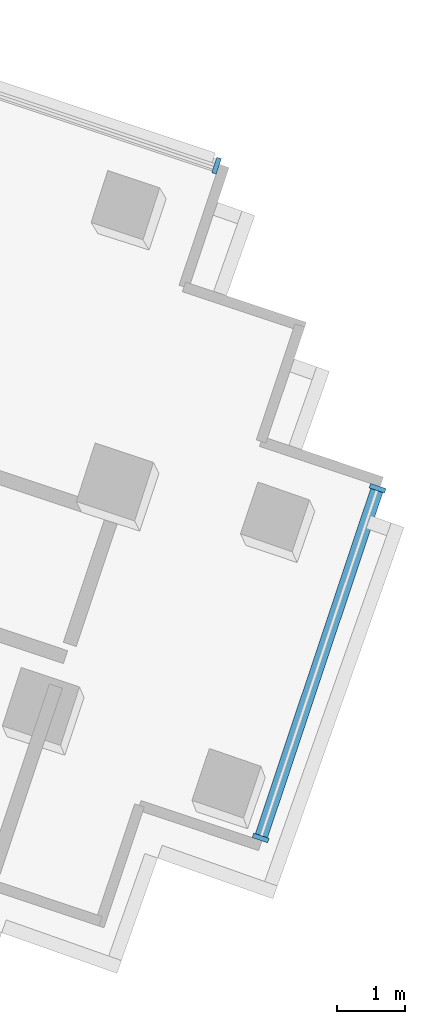
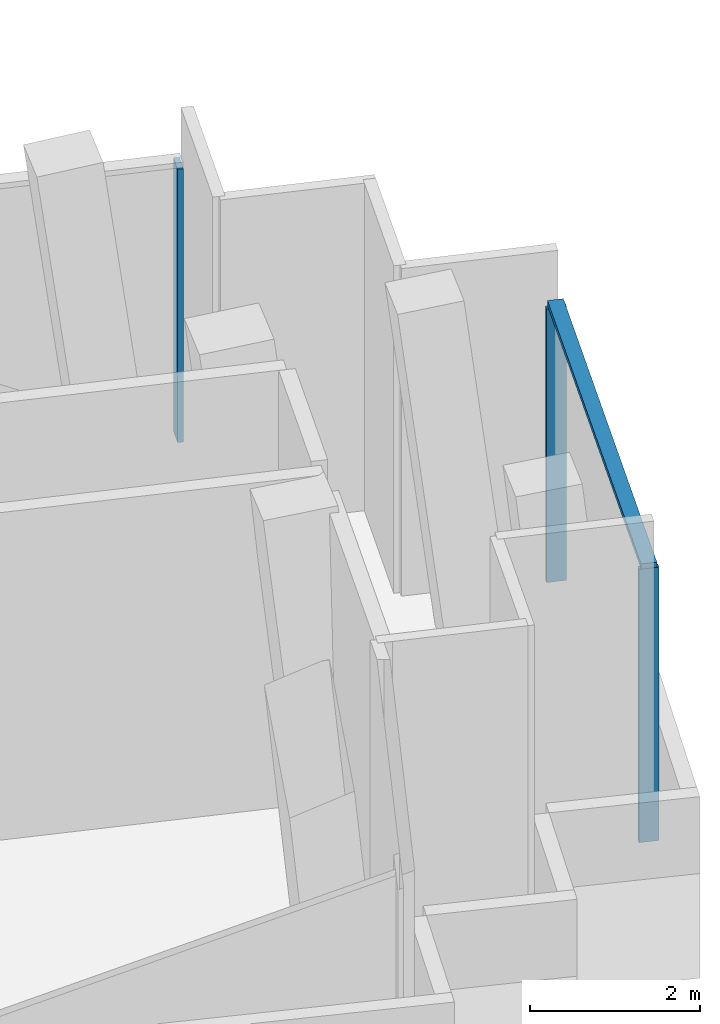
# One storey, part 6 of 20: 4 members, 2 elements without a shape of their own.
"""IFC4 building model written with IfcOpenShell, lengths in metres."""

from ifc_helpers import new_model, si_unit, direction, frame, origin, origin_2d, place, context, subcontext, project, spatial, rectangle, extrude, material, layer, layer_set, material_profile, profile_set, type_object, element, aggregate, save


model = new_model("IFC4")

# Units and contexts
model_context = context("Model", 3, precision=1e-05, world=origin(), true_north=direction((0.0, 1.0)))
body_context = subcontext(model_context, "Body", "Model", "MODEL_VIEW")
ifc_project = project(units=[si_unit("LENGTHUNIT", "METRE"), si_unit("AREAUNIT", "SQUARE_METRE"), si_unit("VOLUMEUNIT", "CUBIC_METRE"), si_unit("PLANEANGLEUNIT", "RADIAN"), si_unit("MASSUNIT", "GRAM", prefix="KILO")], contexts=[model_context])

# Site, building, storey
site_placement = place(None, origin())
site = spatial("IfcSite", under=ifc_project, at=site_placement, CompositionType="ELEMENT")
building_placement = place(site_placement, origin())
building = spatial("IfcBuilding", under=site, at=building_placement, Name="Verdalira Terraces Hotel", CompositionType="ELEMENT")
storey_placement = place(building_placement, frame((0.0, 0.0, 81.0)))
storey = spatial("IfcBuildingStorey", under=building, at=storey_placement, Name="L18", CompositionType="ELEMENT", Elevation=81.0)

# Curtain wall, members
ifc_material_1 = material(Name="Clear glass", Category="glass")
ifc_layer = layer(ifc_material_1, 0.239990234375)
ifc_layer_set = layer_set([ifc_layer], Name="CW5 curtain wall")
curtain_wall_type = type_object("IfcCurtainWallType", Name="CW5 curtain wall", PredefinedType="NOTDEFINED", material=ifc_layer_set)
curtain_wall_1_placement = place(storey_placement, origin())
curtain_wall_1 = element("IfcCurtainWall", 1, at=curtain_wall_1_placement, inside=storey, type_object=curtain_wall_type, Name="CW5 curtain wall L18 edge 33", PredefinedType="NOTDEFINED")
ifc_material_2 = material(Name="Terracotta frame", Category="masonry")
ifc_material_profile_1 = material_profile(ifc_material_2, rectangle(XDim=0.070068, YDim=0.23999, at=origin_2d()), Name="MU 70x240")
ifc_profile_set_1 = profile_set([ifc_material_profile_1], Name="Terracotta frame")
member_type_1 = type_object("IfcMemberType", Name="CW5 mullion 70x240", PredefinedType="MULLION", material=ifc_profile_set_1)
member_1_placement = place(storey_placement, frame((33.017578, -13.897217, 0.0), z_axis=(0.0, 0.0, 1.0), x_axis=(0.31697361, 0.948434358, 0.0)))
member_1 = element("IfcMember", 2, at=member_1_placement, type_object=member_type_1, Name="CW5 mullion", PredefinedType="MULLION", context=body_context, shape_type="SweptSolid", body=[
    extrude(rectangle(XDim=0.070068, YDim=0.23999, at=origin_2d()), origin(), (0.0, 0.0, 1.0), 3.915039),
])
member_2_placement = place(storey_placement, frame((34.73877, -8.747314, 0.0), z_axis=(0.0, 0.0, 1.0), x_axis=(0.31697361, 0.948434358, 0.0)))
member_2 = element("IfcMember", 3, at=member_2_placement, type_object=member_type_1, Name="CW5 mullion", PredefinedType="MULLION", context=body_context, shape_type="SweptSolid", body=[
    extrude(rectangle(XDim=0.070068, YDim=0.23999, at=origin_2d()), origin(), (0.0, 0.0, 1.0), 3.915039),
])

# Curtain wall, member
curtain_wall_2_placement = place(storey_placement, origin())
curtain_wall_2 = element("IfcCurtainWall", 4, at=curtain_wall_2_placement, inside=storey, type_object=curtain_wall_type, Name="CW5 curtain wall L18 edge 38", PredefinedType="NOTDEFINED")
member_3_placement = place(storey_placement, frame((32.367432, -3.995605, 0.0), z_axis=(0.0, 0.0, 1.0), x_axis=(-0.948434358, 0.31697361, 0.0)))
member_3 = element("IfcMember", 5, at=member_3_placement, type_object=member_type_1, Name="CW5 mullion", PredefinedType="MULLION", context=body_context, shape_type="SweptSolid", body=[
    extrude(rectangle(XDim=0.070068, YDim=0.23999, at=origin_2d()), origin(), (0.0, 0.0, 1.0), 3.915039),
])
aggregate(curtain_wall_2, [member_3])

# Member
ifc_material_3 = material(Name="Terracotta frame", Category="masonry")
ifc_material_profile_2 = material_profile(ifc_material_3, rectangle(XDim=0.189941, YDim=0.074951, at=origin_2d()), Name="TR 75x190")
ifc_profile_set_2 = profile_set([ifc_material_profile_2], Name="Terracotta frame")
member_type_2 = type_object("IfcMemberType", Name="CW5 transom 75x190", PredefinedType="USERDEFINED", material=ifc_profile_set_2)
member_4_placement = place(storey_placement, frame((33.006348, -13.93042, 3.952393), z_axis=(0.316986728, 0.948429973, 0.0), x_axis=(-0.948429973, 0.316986728, 0.0)))
member_4 = element("IfcMember", 6, at=member_4_placement, type_object=member_type_2, Name="CW5 transom", ObjectType="TRANSOM", PredefinedType="USERDEFINED", context=body_context, shape_type="SweptSolid", body=[
    extrude(rectangle(XDim=0.189941, YDim=0.074951, at=origin_2d()), origin(), (0.0, 0.0, 1.0), 5.5),
])

aggregate(curtain_wall_1, [member_1, member_2, member_4])

save(model, "model.ifc")
